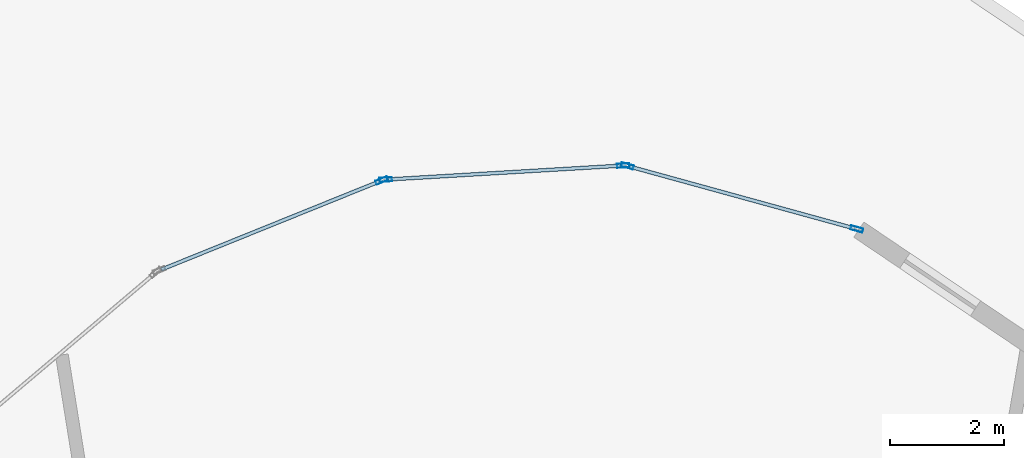
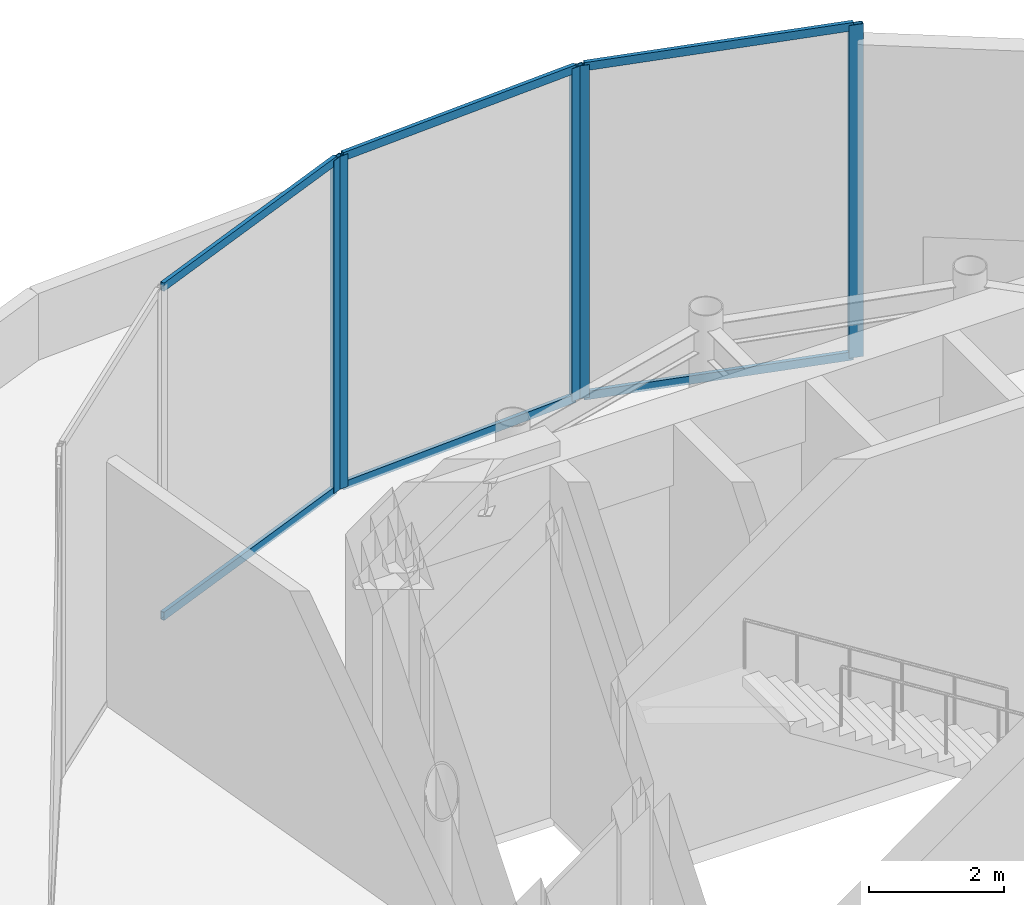
# One storey, part 8 of 12: 11 members, 3 elements without a shape of their own.
"""IFC4 building model written with IfcOpenShell, lengths in metres."""

from ifc_helpers import new_model, si_unit, direction, frame, origin, origin_2d, place, context, subcontext, project, spatial, hollow_rectangle, extrude, source, transform, mapped, material, layer, layer_set, material_profile, profile_set, type_object, element, aggregate, save


model = new_model("IFC4")

# Units and contexts
model_context = context("Model", 3, precision=1e-05, world=origin(), true_north=direction((0.0, 1.0)))
body_context = subcontext(model_context, "Body", "Model", "MODEL_VIEW")
ifc_project = project(units=[si_unit("LENGTHUNIT", "METRE"), si_unit("AREAUNIT", "SQUARE_METRE"), si_unit("VOLUMEUNIT", "CUBIC_METRE"), si_unit("PLANEANGLEUNIT", "RADIAN"), si_unit("MASSUNIT", "GRAM", prefix="KILO")], contexts=[model_context])

# Site, building, storey
site_placement = place(None, origin())
site = spatial("IfcSite", under=ifc_project, at=site_placement, CompositionType="ELEMENT")
building_placement = place(site_placement, origin())
building = spatial("IfcBuilding", under=site, at=building_placement, Name="Solvirekh Grand Hotel", CompositionType="ELEMENT")
storey_placement = place(building_placement, frame((0.0, 0.0, 302.199951171875)))
storey = spatial("IfcBuildingStorey", under=building, at=storey_placement, Name="L78", CompositionType="ELEMENT", Elevation=302.199951171875)

# Curtain wall, members
ifc_material = material(Name="Anodized Bronze Aluminium 6063-T6", Category="aluminium")
ifc_layer = layer(ifc_material, 0.219970703125)
ifc_layer_set = layer_set([ifc_layer], Name="Anodized Bronze Aluminium 6063-T6")
curtain_wall_type = type_object("IfcCurtainWallType", Name="CW_Sys6_CrownFacetedPointCW", PredefinedType="NOTDEFINED", material=ifc_layer_set)
curtain_wall_1_placement = place(storey_placement, origin())
curtain_wall_1 = element("IfcCurtainWall", 1, at=curtain_wall_1_placement, inside=storey, type_object=curtain_wall_type, Name="L78 unitised bronze-glass curtain wall CW-L78-C10", PredefinedType="NOTDEFINED")
ifc_material_profile_1 = material_profile(ifc_material, hollow_rectangle(XDim=0.074951171875, YDim=0.219970703125, WallThickness=0.006103515625, at=origin_2d()), Name="ALU RHS 220X75X6")
ifc_profile_set_1 = profile_set([ifc_material_profile_1], Name="Anodized Bronze Aluminium 6063-T6")
member_type_1 = type_object("IfcMemberType", Name="CWMullion_Sys6", PredefinedType="MULLION", material=ifc_profile_set_1)
shared_shape_1 = source(origin(), body_context, "Body", "SweptSolid", [
    extrude(hollow_rectangle(XDim=0.074951171875, YDim=0.219970703125, WallThickness=0.006103515625, at=origin_2d()), origin(), (0.0, 0.0, 1.0), 6.0),
])
member_1_placement = place(storey_placement, frame((5.554931640625, 13.001953125, 0.0), z_axis=(0.0, 0.0, 1.0), x_axis=(-0.26528197861, -0.964170872732, 0.0)))
member_1 = element("IfcMember", 2, at=member_1_placement, type_object=member_type_1, Name="U06 mullion 1", PredefinedType="MULLION", context=body_context, shape_type="MappedRepresentation", body=[
    mapped(shared_shape_1, transform((0.0, 0.0, 0.0), x_axis=(1.0, 0.0, 0.0), y_axis=(0.0, 1.0, 0.0), z_axis=(0.0, 0.0, 1.0), scale=1.0)),
])
member_2_placement = place(storey_placement, frame((1.520263671875, 14.112060546875, 0.0), z_axis=(0.0, 0.0, 1.0), x_axis=(-0.26528197861, -0.964170872732, 0.0)))
member_2 = element("IfcMember", 3, at=member_2_placement, type_object=member_type_1, Name="U06 mullion 2", PredefinedType="MULLION", context=body_context, shape_type="MappedRepresentation", body=[
    mapped(shared_shape_1, transform((0.0, 0.0, 0.0), x_axis=(1.0, 0.0, 0.0), y_axis=(0.0, 1.0, 0.0), z_axis=(0.0, 0.0, 1.0), scale=1.0)),
])

curtain_wall_2_placement = place(storey_placement, origin())
curtain_wall_2 = element("IfcCurtainWall", 4, at=curtain_wall_2_placement, inside=storey, type_object=curtain_wall_type, Name="L78 unitised bronze-glass curtain wall CW-L78-C11", PredefinedType="NOTDEFINED")
member_3_placement = place(storey_placement, frame((1.446533203125, 14.119873046875, 0.0), z_axis=(0.0, 0.0, 1.0), x_axis=(0.059162415163, -0.998248370213, 0.0)))
member_3 = element("IfcMember", 5, at=member_3_placement, type_object=member_type_1, Name="U06 mullion 1", PredefinedType="MULLION", context=body_context, shape_type="MappedRepresentation", body=[
    mapped(shared_shape_1, transform((0.0, 0.0, 0.0), x_axis=(1.0, 0.0, 0.0), y_axis=(0.0, 1.0, 0.0), z_axis=(0.0, 0.0, 1.0), scale=1.0)),
])
member_4_placement = place(storey_placement, frame((-2.73046875, 13.872314453125, 0.0), z_axis=(0.0, 0.0, 1.0), x_axis=(0.059162415163, -0.998248370213, 0.0)))
member_4 = element("IfcMember", 6, at=member_4_placement, type_object=member_type_1, Name="U06 mullion 2", PredefinedType="MULLION", context=body_context, shape_type="MappedRepresentation", body=[
    mapped(shared_shape_1, transform((0.0, 0.0, 0.0), x_axis=(1.0, 0.0, 0.0), y_axis=(0.0, 1.0, 0.0), z_axis=(0.0, 0.0, 1.0), scale=1.0)),
])

# Curtain wall, member
curtain_wall_3_placement = place(storey_placement, origin())
curtain_wall_3 = element("IfcCurtainWall", 7, at=curtain_wall_3_placement, inside=storey, type_object=curtain_wall_type, Name="L78 unitised bronze-glass curtain wall CW-L78-C12", PredefinedType="NOTDEFINED")
member_5_placement = place(storey_placement, frame((-2.802734375, 13.85595703125, 0.0), z_axis=(0.0, 0.0, 1.0), x_axis=(0.374721029061, -0.92713761135, 0.0)))
member_5 = element("IfcMember", 8, at=member_5_placement, type_object=member_type_1, Name="U06 mullion 1", PredefinedType="MULLION", context=body_context, shape_type="MappedRepresentation", body=[
    mapped(shared_shape_1, transform((0.0, 0.0, 0.0), x_axis=(1.0, 0.0, 0.0), y_axis=(0.0, 1.0, 0.0), z_axis=(0.0, 0.0, 1.0), scale=1.0)),
])

# Member
ifc_material_profile_2 = material_profile(ifc_material, hollow_rectangle(XDim=0.06494140625, YDim=0.14990234375, WallThickness=0.0048828125, at=origin_2d()), Name="ALU RHS 150X65X5")
ifc_profile_set_2 = profile_set([ifc_material_profile_2], Name="Anodized Bronze Aluminium 6063-T6")
member_type_2 = type_object("IfcMemberType", Name="CWTransom_Sys6", PredefinedType="USERDEFINED", material=ifc_profile_set_2)
shared_shape_2 = source(origin(), body_context, "Body", "SweptSolid", [
    extrude(hollow_rectangle(XDim=0.06494140625, YDim=0.14990234375, WallThickness=0.0048828125, at=origin_2d()), origin(), (0.0, 0.0, 1.0), 4.109375),
])
member_6_placement = place(storey_placement, frame((1.4091796875, 14.11767578125, 0.032470703125), z_axis=(-0.998247845366, -0.059171270248, 0.0), x_axis=(0.059171270248, -0.998247845366, 0.0)))
member_6 = element("IfcMember", 9, at=member_6_placement, type_object=member_type_2, Name="U06 transom 1.1", ObjectType="TRANSOM", PredefinedType="USERDEFINED", context=body_context, shape_type="MappedRepresentation", body=[
    mapped(shared_shape_2, transform((0.0, 0.0, 0.0), x_axis=(1.0, 0.0, 0.0), y_axis=(0.0, 1.0, 0.0), z_axis=(0.0, 0.0, 1.0), scale=1.0)),
])

member_7_placement = place(storey_placement, frame((1.4091796875, 14.11767578125, 5.967529296875), z_axis=(-0.998247845366, -0.059171270248, 0.0), x_axis=(0.059171270248, -0.998247845366, 0.0)))
member_7 = element("IfcMember", 10, at=member_7_placement, type_object=member_type_2, Name="U06 transom 1.2", ObjectType="TRANSOM", PredefinedType="USERDEFINED", context=body_context, shape_type="MappedRepresentation", body=[
    mapped(shared_shape_2, transform((0.0, 0.0, 0.0), x_axis=(1.0, 0.0, 0.0), y_axis=(0.0, 1.0, 0.0), z_axis=(0.0, 0.0, 1.0), scale=1.0)),
])

aggregate(curtain_wall_2, [member_3, member_4, member_6, member_7])

shared_shape_3 = source(origin(), body_context, "Body", "SweptSolid", [
    extrude(hollow_rectangle(XDim=0.06494140625, YDim=0.14990234375, WallThickness=0.0048828125, at=origin_2d()), origin(), (0.0, 0.0, 1.0), 4.143798828125),
])
member_8_placement = place(storey_placement, frame((-2.837646484375, 13.841796875, 0.032470703125), z_axis=(-0.927137940423, -0.374720214864, 0.0), x_axis=(0.374720214864, -0.927137940423, 0.0)))
member_8 = element("IfcMember", 11, at=member_8_placement, type_object=member_type_2, Name="U06 transom 1.1", ObjectType="TRANSOM", PredefinedType="USERDEFINED", context=body_context, shape_type="MappedRepresentation", body=[
    mapped(shared_shape_3, transform((0.0, 0.0, 0.0), x_axis=(1.0, 0.0, 0.0), y_axis=(0.0, 1.0, 0.0), z_axis=(0.0, 0.0, 1.0), scale=1.0)),
])

member_9_placement = place(storey_placement, frame((-2.837646484375, 13.841796875, 5.967529296875), z_axis=(-0.927137940423, -0.374720214864, 0.0), x_axis=(0.374720214864, -0.927137940423, 0.0)))
member_9 = element("IfcMember", 12, at=member_9_placement, type_object=member_type_2, Name="U06 transom 1.2", ObjectType="TRANSOM", PredefinedType="USERDEFINED", context=body_context, shape_type="MappedRepresentation", body=[
    mapped(shared_shape_3, transform((0.0, 0.0, 0.0), x_axis=(1.0, 0.0, 0.0), y_axis=(0.0, 1.0, 0.0), z_axis=(0.0, 0.0, 1.0), scale=1.0)),
])

aggregate(curtain_wall_3, [member_5, member_8, member_9])

shared_shape_4 = source(origin(), body_context, "Body", "SweptSolid", [
    extrude(hollow_rectangle(XDim=0.06494140625, YDim=0.14990234375, WallThickness=0.0048828125, at=origin_2d()), origin(), (0.0, 0.0, 1.0), 4.109619140625),
])
member_10_placement = place(storey_placement, frame((5.518798828125, 13.011962890625, 0.032470703125), z_axis=(-0.96417880833, 0.265253134886, 0.0), x_axis=(-0.265253134886, -0.96417880833, 0.0)))
member_10 = element("IfcMember", 13, at=member_10_placement, type_object=member_type_2, Name="U06 transom 1.1", ObjectType="TRANSOM", PredefinedType="USERDEFINED", context=body_context, shape_type="MappedRepresentation", body=[
    mapped(shared_shape_4, transform((0.0, 0.0, 0.0), x_axis=(1.0, 0.0, 0.0), y_axis=(0.0, 1.0, 0.0), z_axis=(0.0, 0.0, 1.0), scale=1.0)),
])

member_11_placement = place(storey_placement, frame((5.518798828125, 13.011962890625, 5.967529296875), z_axis=(-0.96417880833, 0.265253134886, 0.0), x_axis=(-0.265253134886, -0.96417880833, 0.0)))
member_11 = element("IfcMember", 14, at=member_11_placement, type_object=member_type_2, Name="U06 transom 1.2", ObjectType="TRANSOM", PredefinedType="USERDEFINED", context=body_context, shape_type="MappedRepresentation", body=[
    mapped(shared_shape_4, transform((0.0, 0.0, 0.0), x_axis=(1.0, 0.0, 0.0), y_axis=(0.0, 1.0, 0.0), z_axis=(0.0, 0.0, 1.0), scale=1.0)),
])

aggregate(curtain_wall_1, [member_1, member_2, member_10, member_11])

save(model, "model.ifc")
